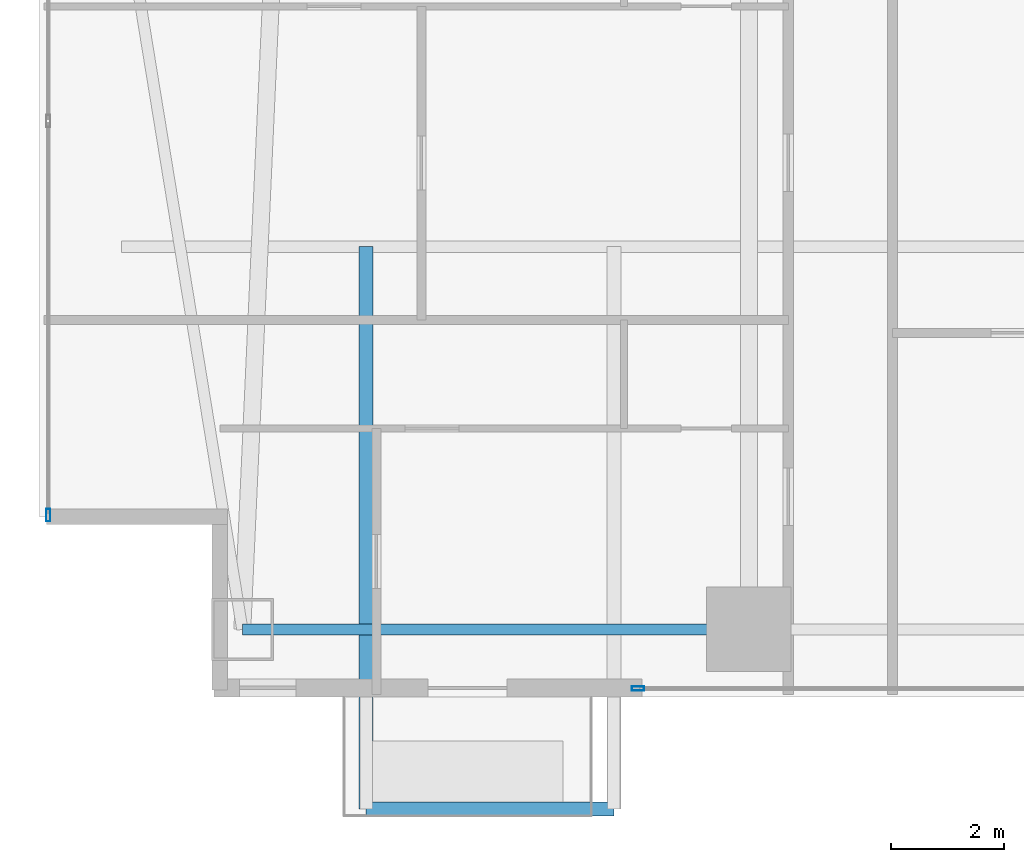
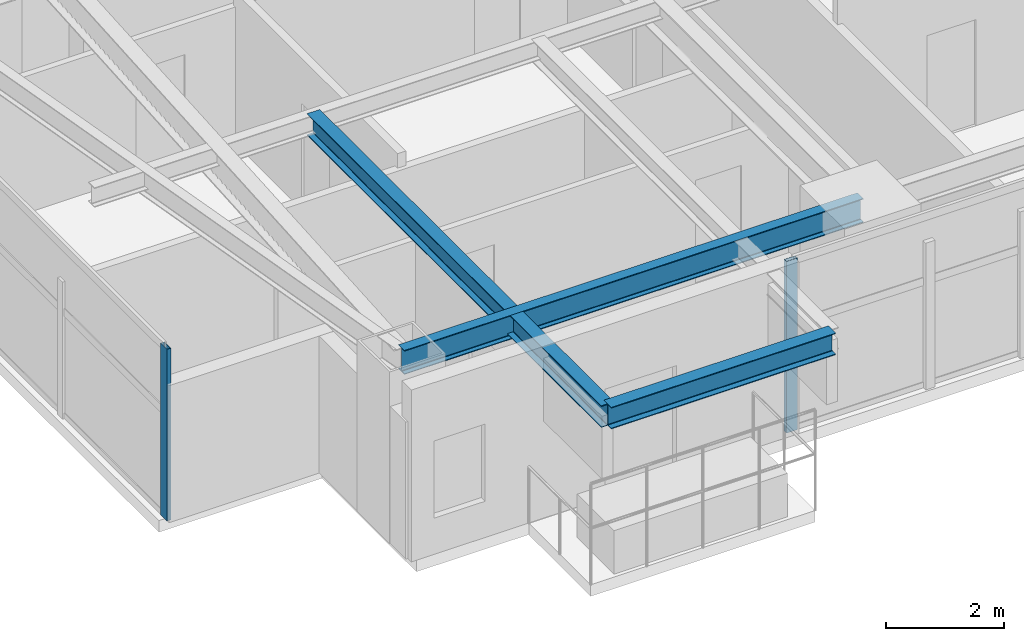
# One storey, part 2 of 30: 3 beams, 2 members, 2 elements without a shape of their own.
"""IFC4 building model written with IfcOpenShell, lengths in metres."""

from ifc_helpers import new_model, si_unit, direction, frame, origin, origin_2d, place, context, subcontext, project, spatial, hollow_rectangle, i_section, extrude, material, layer, layer_set, material_profile, profile_set, type_object, element, aggregate, save


model = new_model("IFC4")

# Units and contexts
model_context = context("Model", 3, precision=1e-05, world=origin(), true_north=direction((0.0, 1.0)))
body_context = subcontext(model_context, "Body", "Model", "MODEL_VIEW")
ifc_project = project(units=[si_unit("LENGTHUNIT", "METRE"), si_unit("AREAUNIT", "SQUARE_METRE"), si_unit("VOLUMEUNIT", "CUBIC_METRE"), si_unit("PLANEANGLEUNIT", "RADIAN"), si_unit("MASSUNIT", "GRAM", prefix="KILO")], contexts=[model_context])

# Site, building, storey
site_placement = place(None, origin())
site = spatial("IfcSite", under=ifc_project, at=site_placement, CompositionType="ELEMENT")
building_placement = place(site_placement, origin())
building = spatial("IfcBuilding", under=site, at=building_placement, Name="Calvorn Quay Hotel", CompositionType="ELEMENT")
storey_placement = place(building_placement, frame((0.0, 0.0, 30.800048828125)))
storey = spatial("IfcBuildingStorey", under=building, at=storey_placement, Name="L06", CompositionType="ELEMENT", Elevation=30.800048828125)

# Beams
ifc_material_1 = material(Name="Steel Q355B", Category="steel")
ifc_material_profile_1 = material_profile(ifc_material_1, i_section(OverallWidth=0.25, OverallDepth=0.449951171875, WebThickness=0.011962890625, FlangeThickness=0.01611328125, FilletRadius=0.01611328125, at=origin_2d()), Name="HN450x250x12x16")
ifc_profile_set_1 = profile_set([ifc_material_profile_1], Name="Steel Q355B")
beam_type_1 = type_object("IfcBeamType", Name="BM-CANT-BALC", PredefinedType="BEAM", material=ifc_profile_set_1)
beam_1_placement = place(storey_placement, frame((5.800048828125, 10.39990234375, 3.31494140625), z_axis=(0.0, -1.0, 0.0), x_axis=(1.0, 0.0, 0.0)))
element("IfcBeam", 1, at=beam_1_placement, inside=storey, type_object=beam_type_1, Name="Cantilever Balcony Beam BCB-L07-2A", PredefinedType="BEAM", context=body_context, shape_type="SweptSolid", body=[
    extrude(i_section(OverallWidth=0.25, OverallDepth=0.449951171875, WebThickness=0.011962890625, FlangeThickness=0.01611328125, FilletRadius=0.01611328125, at=origin_2d()), origin(), (0.0, 0.0, 1.0), 9.989990234375),
])
beam_2_placement = place(storey_placement, frame((5.800048828125, 0.409912109375, 3.31494140625), z_axis=(1.0, 0.0, 0.0), x_axis=(0.0, 1.0, 0.0)))
element("IfcBeam", 2, at=beam_2_placement, inside=storey, type_object=beam_type_1, Name="Beam BCBO-L07-2", PredefinedType="BEAM", context=body_context, shape_type="SweptSolid", body=[
    extrude(i_section(OverallWidth=0.25, OverallDepth=0.449951171875, WebThickness=0.011962890625, FlangeThickness=0.01611328125, FilletRadius=0.01611328125, at=origin_2d()), origin(), (0.0, 0.0, 1.0), 4.39990234375),
])
ifc_material_2 = material(Name="Steel Q355B", Category="steel")
ifc_material_profile_2 = material_profile(ifc_material_2, i_section(OverallWidth=0.199951171875, OverallDepth=0.5, WebThickness=0.010009765625, FlangeThickness=0.01611328125, FilletRadius=0.01611328125, at=origin_2d()), Name="HN500x200x10x16")
ifc_profile_set_2 = profile_set([ifc_material_profile_2], Name="Steel Q355B")
beam_type_2 = type_object("IfcBeamType", Name="BM-SPANDREL-Z1", PredefinedType="SPANDREL", material=ifc_profile_set_2)
beam_3_placement = place(storey_placement, frame((3.60009765625, 3.60009765625, 3.2900390625), z_axis=(1.0, 0.0, 0.0), x_axis=(0.0, 1.0, 0.0)))
element("IfcBeam", 3, at=beam_3_placement, inside=storey, type_object=beam_type_2, Name="Beam BSP-L06-S1", PredefinedType="SPANDREL", context=body_context, shape_type="SweptSolid", body=[
    extrude(i_section(OverallWidth=0.199951171875, OverallDepth=0.5, WebThickness=0.010009765625, FlangeThickness=0.01611328125, FilletRadius=0.01611328125, at=origin_2d()), origin(), (0.0, 0.0, 1.0), 9.0),
])

# Curtain wall, member
ifc_material_3 = material(Name="Pale Anodised Aluminium and Low-E Glass", Category="aluminium")
ifc_layer = layer(ifc_material_3, 0.219970703125)
ifc_layer_set = layer_set([ifc_layer], Name="CW-SYS-Z1")
curtain_wall_type = type_object("IfcCurtainWallType", Name="CW-SYS-Z1", PredefinedType="NOTDEFINED", material=ifc_layer_set)
curtain_wall_1_placement = place(storey_placement, origin())
curtain_wall_1 = element("IfcCurtainWall", 4, at=curtain_wall_1_placement, inside=storey, type_object=curtain_wall_type, Name="Tower West Curtain Wall (L06)", PredefinedType="NOTDEFINED")
ifc_material_4 = material(Name="Pale Anodised Aluminium 6063-T6", Category="aluminium")
ifc_material_profile_3 = material_profile(ifc_material_4, hollow_rectangle(XDim=0.074951171875, YDim=0.219970703125, WallThickness=0.00439453125, at=origin_2d()), Name="ALU-M220x75x4.5")
ifc_profile_set_3 = profile_set([ifc_material_profile_3], Name="Pale Anodised Aluminium 6063-T6")
member_type = type_object("IfcMemberType", Name="CW-SYS-Z1-MUL", PredefinedType="MULLION", material=ifc_profile_set_3)
member_1_placement = place(storey_placement, frame((0.14990234375, 5.6298828125, 0.0), z_axis=(0.0, 0.0, 1.0), x_axis=(-1.0, 0.0, 0.0)))
member_1 = element("IfcMember", 5, at=member_1_placement, type_object=member_type, Name="CW-L06-W mullion 1", PredefinedType="MULLION", context=body_context, shape_type="SweptSolid", body=[
    extrude(hollow_rectangle(XDim=0.074951171875, YDim=0.219970703125, WallThickness=0.00439453125, at=origin_2d()), origin(), (0.0, 0.0, 1.0), 3.56005859375),
])
aggregate(curtain_wall_1, [member_1])

curtain_wall_2_placement = place(storey_placement, origin())
curtain_wall_2 = element("IfcCurtainWall", 6, at=curtain_wall_2_placement, inside=storey, type_object=curtain_wall_type, Name="Tower South Waterfront Curtain Wall (L06)", PredefinedType="NOTDEFINED")
member_2_placement = place(storey_placement, frame((10.6298828125, 2.550048828125, 0.0), z_axis=(0.0, 0.0, 1.0), x_axis=(0.0, 1.0, 0.0)))
member_2 = element("IfcMember", 7, at=member_2_placement, type_object=member_type, Name="CW-L06-S mullion 1", PredefinedType="MULLION", context=body_context, shape_type="SweptSolid", body=[
    extrude(hollow_rectangle(XDim=0.074951171875, YDim=0.219970703125, WallThickness=0.00439453125, at=origin_2d()), origin(), (0.0, 0.0, 1.0), 3.56005859375),
])
aggregate(curtain_wall_2, [member_2])

save(model, "model.ifc")
